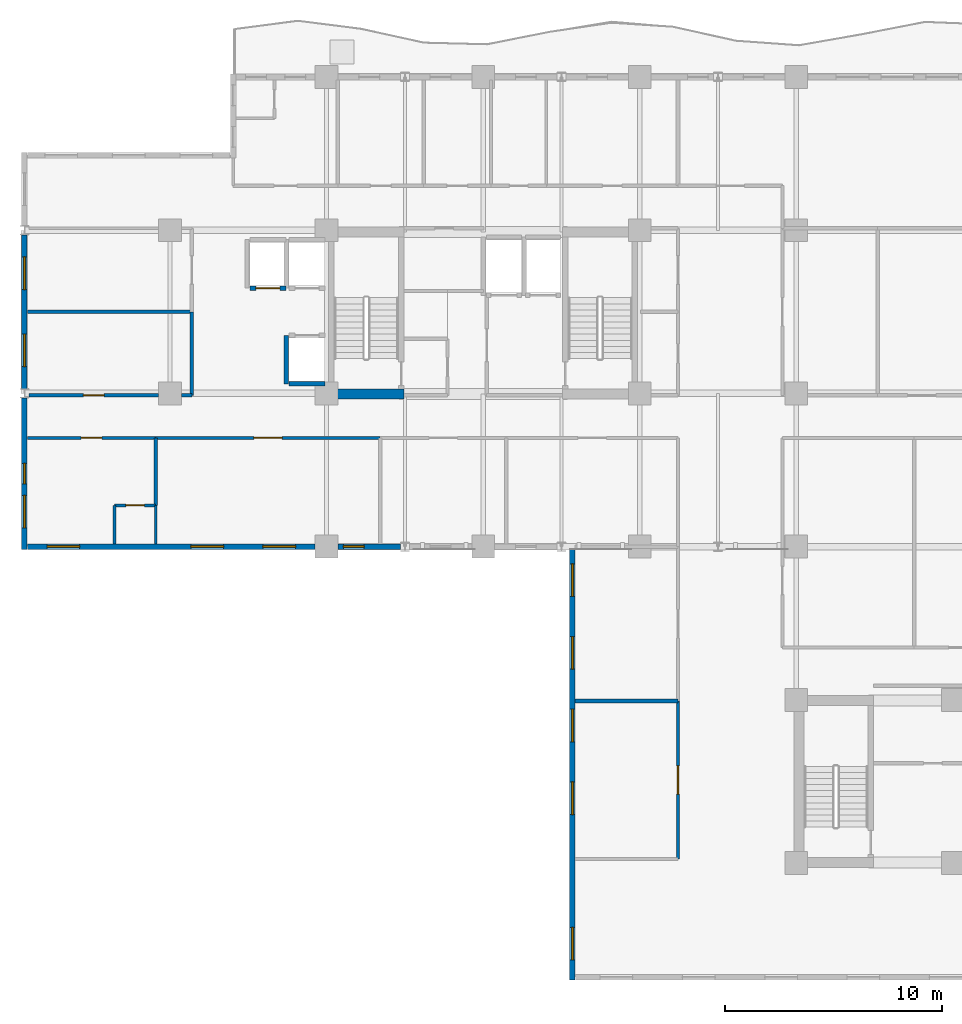
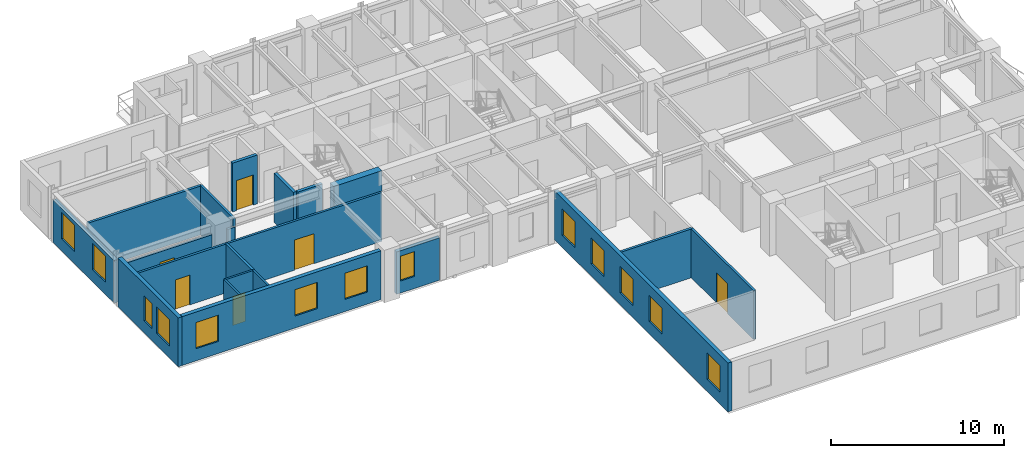
# One storey, part 4 of 13: 21 walls, 13 windows, 6 doors, 19 openings.
"""IFC4 building model written with IfcOpenShell, lengths in metres."""

import ifcopenshell
import ifcopenshell.guid

model = None  # the IFC model being written
_history = None  # IfcOwnerHistory: only IFC2X3 demands one
_inside = {}  # id of a spatial element -> (the spatial element, [elements in it])
_under = {}  # id of a project, library or spatial element -> (it, [spatial elements below it])
_declared = {}  # id of a project -> (the project, [libraries it declares])
_typed = {}  # id of a type object -> (the type object, [elements of that type])
_made_of = {}  # id of a material, layer set ... -> (it, [elements and type objects made of it])


def new_model(schema):
    """Start an empty IFC model of exactly this schema.

    Asked for "IFC4X3", IfcOpenShell would pick the latest addendum, in which some entities
    have other attributes; the version numbers below select the first issue.
    IFC2X3 requires an IfcOwnerHistory on every rooted entity: one is made here for all.
    """
    global model, _history
    if schema == "IFC4X3":
        model = ifcopenshell.file(schema_version=(4, 3, 0, 0))
    else:
        model = ifcopenshell.file(schema=schema)
    _inside.clear()
    _under.clear()
    _declared.clear()
    _typed.clear()
    _made_of.clear()
    _history = None
    if model.schema == "IFC2X3":
        org = make("IfcOrganization", Name="unknown")
        user = make(
            "IfcPersonAndOrganization",
            ThePerson=make("IfcPerson", FamilyName="unknown"),
            TheOrganization=org,
        )
        app = make(
            "IfcApplication",
            ApplicationDeveloper=org,
            Version="unknown",
            ApplicationFullName="unknown",
            ApplicationIdentifier="unknown",
        )
        _history = make(
            "IfcOwnerHistory",
            OwningUser=user,
            OwningApplication=app,
            ChangeAction="ADDED",
            CreationDate=0,
        )
    return model


def make(cls, **values):
    """One entity of the class cls with the attributes given. An attribute that is None is left unset."""
    return model.create_entity(
        cls, **{name: value for name, value in values.items() if value is not None}
    )


def rooted(cls, **values):
    """An entity with a GlobalId (a new one), such as an element, a storey or a relation."""
    return make(cls, GlobalId=ifcopenshell.guid.new(), OwnerHistory=_history, **values)


def si_unit(unit_type, name, prefix=None):
    """IfcSIUnit, for example si_unit("LENGTHUNIT", "METRE", prefix="MILLI")."""
    return make("IfcSIUnit", UnitType=unit_type, Prefix=prefix, Name=name)


def assignment(units):
    """IfcUnitAssignment: the units of a project."""
    return None if units is None else make("IfcUnitAssignment", Units=units)


def point(xyz):
    """IfcCartesianPoint."""
    return None if xyz is None else make("IfcCartesianPoint", Coordinates=xyz)


def direction(xyz):
    """IfcDirection."""
    return None if xyz is None else make("IfcDirection", DirectionRatios=xyz)


def frame(location, z_axis=None, x_axis=None):
    """IfcAxis2Placement3D, a coordinate frame: its origin and axes. An axis left out is left unset."""
    return make(
        "IfcAxis2Placement3D",
        Location=point(location),
        Axis=direction(z_axis),
        RefDirection=direction(x_axis),
    )


def frame_2d(location, x_axis=None):
    """IfcAxis2Placement2D, a coordinate frame in the plane: its origin and x axis."""
    return make(
        "IfcAxis2Placement2D", Location=point(location), RefDirection=direction(x_axis)
    )


def origin():
    """The frame at (0, 0, 0) with its axes left unset."""
    return frame((0.0, 0.0, 0.0))


def place(relative_to, where):
    """IfcLocalPlacement: puts the frame where relative to a parent placement (None: the world)."""
    return make(
        "IfcLocalPlacement", PlacementRelTo=relative_to, RelativePlacement=where
    )


def context(
    kind, dimensions, precision=None, world=None, true_north=None, identifier=None
):
    """IfcGeometricRepresentationContext, for example the 3D "Model" context."""
    return make(
        "IfcGeometricRepresentationContext",
        ContextIdentifier=identifier,
        ContextType=kind,
        CoordinateSpaceDimension=dimensions,
        Precision=precision,
        WorldCoordinateSystem=world,
        TrueNorth=true_north,
    )


def subcontext(parent, identifier, kind, view, scale=None):
    """IfcGeometricRepresentationSubContext, for example "Body" below "Model"."""
    return make(
        "IfcGeometricRepresentationSubContext",
        ContextIdentifier=identifier,
        ContextType=kind,
        ParentContext=parent,
        TargetScale=scale,
        TargetView=view,
    )


def project(units=None, contexts=None):
    """IfcProject with its units and contexts."""
    return rooted(
        "IfcProject",
        Name="project",
        RepresentationContexts=contexts,
        UnitsInContext=assignment(units),
    )


def spatial(cls, under=None, at=None, **own):
    """A site, building, storey or space (cls), placed at a placement, below another one or the project."""
    s = rooted(cls, ObjectPlacement=at, **own)
    if under is not None:
        _under.setdefault(under.id(), (under, []))[1].append(s)
    return s


def profile(cls, at=None, kind="AREA", **sizes):
    """A parametric profile (cls). Its sizes go by their IFC names, for example OverallWidth=200.0."""
    return make(cls, ProfileType=kind, Position=at, **sizes)


def rectangle(**sizes):
    """IfcRectangleProfileDef."""
    return profile("IfcRectangleProfileDef", **sizes)


def extrude(swept, where, along, depth):
    """IfcExtrudedAreaSolid: the profile swept, set in the frame where, extruded along a direction by depth."""
    return make(
        "IfcExtrudedAreaSolid",
        SweptArea=swept,
        Position=where,
        ExtrudedDirection=direction(along),
        Depth=depth,
    )


def shape(context_of_items, identifier, shape_type, items):
    """IfcShapeRepresentation: the items that make up one representation, for example the "Body"."""
    return make(
        "IfcShapeRepresentation",
        ContextOfItems=context_of_items,
        RepresentationIdentifier=identifier,
        RepresentationType=shape_type,
        Items=items,
    )


def material(Name=None, Category=None):
    """IfcMaterial."""
    return make("IfcMaterial", Name=Name, Category=Category)


def layer(
    of_material, thickness, ventilated=None, Name=None, Category=None, Priority=None
):
    """IfcMaterialLayer: one layer of a wall or slab, of a material (None: an air gap)."""
    return make(
        "IfcMaterialLayer",
        Material=of_material,
        LayerThickness=thickness,
        IsVentilated=ventilated,
        Name=Name,
        Category=Category,
        Priority=Priority,
    )


def layer_set(layers, Name=None):
    """IfcMaterialLayerSet."""
    return make("IfcMaterialLayerSet", MaterialLayers=layers, LayerSetName=Name)


def made_of(thing, what):
    """Note that an element or type object is made of a material, layer set ...; save() writes the relation."""
    if what is not None:
        _made_of.setdefault(what.id(), (what, []))[1].append(thing)
    return thing


def type_object(cls, material=None, **own):
    """A type object (cls), such as IfcWallType, which elements share."""
    return made_of(rooted(cls, **own), material)


def element(
    cls,
    number,
    at=None,
    inside=None,
    cuts=None,
    type_object=None,
    material=None,
    context=None,
    identifier="Body",
    shape_type=None,
    held_by="IfcProductDefinitionShape",
    body=None,
    shapes=None,
    **own,
):
    """One element of the class cls, such as IfcWall. Its Tag is "e" and its number.

    at: its placement. inside: the storey or other place that contains it. cuts: it is an
    opening in that element (IfcRelVoidsElement). A single representation is given by context,
    identifier, shape_type and body (its items); several are given by shapes. held_by: the class
    of the entity that holds the representations. save() writes the other relations.
    """
    e = rooted(cls, Tag="e%d" % number, ObjectPlacement=at, **own)
    if body is not None:
        shapes = [shape(context, identifier, shape_type, body)]
    if shapes is not None:
        e.Representation = make(held_by, Representations=shapes)
    if inside is not None:
        _inside.setdefault(inside.id(), (inside, []))[1].append(e)
    if cuts is not None:
        rooted(
            "IfcRelVoidsElement", RelatingBuildingElement=cuts, RelatedOpeningElement=e
        )
    if type_object is not None:
        _typed.setdefault(type_object.id(), (type_object, []))[1].append(e)
    return made_of(e, material)


def fill(opening, filler):
    """IfcRelFillsElement: the door or window that sits in an opening."""
    return rooted(
        "IfcRelFillsElement",
        RelatingOpeningElement=opening,
        RelatedBuildingElement=filler,
    )


def aggregate(whole, parts):
    """IfcRelAggregates: a whole, such as a stair, and the parts it consists of."""
    return rooted("IfcRelAggregates", RelatingObject=whole, RelatedObjects=parts)


def save(model, path):
    """Write the relations noted so far, then the file.

    IfcRelAggregates (storeys below a building ...), IfcRelContainedInSpatialStructure (elements
    in a storey), IfcRelDefinesByType, IfcRelAssociatesMaterial and IfcRelDeclares: one each for
    every whole, place, type object, material and project.
    """
    for whole, parts in _under.values():
        aggregate(whole, parts)
    for where, things in _inside.values():
        rooted(
            "IfcRelContainedInSpatialStructure",
            RelatedElements=things,
            RelatingStructure=where,
        )
    for kind, things in _typed.values():
        rooted("IfcRelDefinesByType", RelatedObjects=things, RelatingType=kind)
    for what, things in _made_of.values():
        rooted("IfcRelAssociatesMaterial", RelatedObjects=things, RelatingMaterial=what)
    for by, libraries in _declared.values():
        rooted("IfcRelDeclares", RelatingContext=by, RelatedDefinitions=libraries)
    model.write(path)


model = new_model("IFC4")

# Units and contexts
model_context = context("Model", 3, precision=1e-05, world=origin(), true_north=direction((0.0, 1.0)))
body_context = subcontext(model_context, "Body", "Model", "MODEL_VIEW")
ifc_project = project(units=[si_unit("LENGTHUNIT", "METRE"), si_unit("AREAUNIT", "SQUARE_METRE"), si_unit("VOLUMEUNIT", "CUBIC_METRE"), si_unit("PLANEANGLEUNIT", "RADIAN"), si_unit("MASSUNIT", "GRAM", prefix="KILO")], contexts=[model_context])

# Site, building, storey
site_placement = place(None, origin())
site = spatial("IfcSite", under=ifc_project, at=site_placement, CompositionType="ELEMENT")
building_placement = place(site_placement, origin())
building = spatial("IfcBuilding", under=site, at=building_placement, Name="Kaliganga Portal Commons", CompositionType="ELEMENT")
storey_placement = place(building_placement, frame((0.0, 0.0, 180.89990234375)))
storey = spatial("IfcBuildingStorey", under=building, at=storey_placement, Name="L46", CompositionType="ELEMENT", Elevation=180.89990234375)

# Wall
ifc_material_1 = material(Name="Concrete C60/75", Category="concrete")
ifc_layer_1 = layer(ifc_material_1, 0.449951171875)
ifc_layer_set_1 = layer_set([ifc_layer_1], Name="Concrete C60/75")
wall_type_1 = type_object("IfcWallType", Name="WL-CORE-450", PredefinedType="SHEAR", material=ifc_layer_set_1)
wall_1_placement = place(storey_placement, frame((14.75, 28.625, 0.0), z_axis=(0.0, 0.0, 1.0), x_axis=(1.0, 0.0, 0.0)))
element("IfcWall", 1, at=wall_1_placement, inside=storey, type_object=wall_type_1, Name="Core A S-West Shear Wall L46", PredefinedType="SHEAR", context=body_context, shape_type="SweptSolid", body=[
    extrude(rectangle(XDim=3.199951171875, YDim=0.449951171875, at=frame_2d((1.60009765625, 0.0))), origin(), (0.0, 0.0, 1.0), 3.460205078125),
])

# Wall, openings, windows
ifc_material_2 = material(Name="Insulated Aluminium-Clad Spandrel Assembly", Category="aluminium")
ifc_layer_2 = layer(ifc_material_2, 0.260009765625)
ifc_layer_set_2 = layer_set([ifc_layer_2], Name="Insulated Aluminium-Clad Spandrel Assembly")
wall_type_2 = type_object("IfcWallType", Name="WL-EXT-SPAND-260", PredefinedType="STANDARD", material=ifc_layer_set_2)
wall_2_placement = place(storey_placement, frame((0.5, 28.85791015625, 0.0), z_axis=(0.0, 0.0, 1.0), x_axis=(0.0, 1.0, 0.0)))
wall_2 = element("IfcWall", 2, at=wall_2_placement, inside=storey, type_object=wall_type_2, Name="Exterior Envelope Wall L46 P1-E09-S2", PredefinedType="STANDARD", context=body_context, shape_type="SweptSolid", body=[
    extrude(rectangle(XDim=7.083984375, YDim=0.260009765625, at=frame_2d((3.5419921875, 0.0))), origin(), (0.0, 0.0, 1.0), 2.989990234375),
])
opening_1_placement = place(wall_2_placement, frame((1.02099609375, 0.0, 0.85009765625)))
opening_1 = element("IfcOpeningElement", 3, at=opening_1_placement, cuts=wall_2, Name="Opening W-02", PredefinedType="OPENING", context=body_context, shape_type="SweptSolid", body=[
    extrude(rectangle(XDim=1.5, YDim=1.85009765625, at=frame_2d((0.75, 0.925048828125))), frame((0.0, 0.14013671875, 0.0), z_axis=(0.0, -1.0, 0.0), x_axis=(1.0, 0.0, 0.0)), (0.0, 0.0, 1.0), 0.280029296875),
])
opening_2_placement = place(wall_2_placement, frame((4.56298828125, 0.0, 0.85009765625)))
opening_2 = element("IfcOpeningElement", 4, at=opening_2_placement, cuts=wall_2, Name="Opening W-02", PredefinedType="OPENING", context=body_context, shape_type="SweptSolid", body=[
    extrude(rectangle(XDim=1.5, YDim=1.85009765625, at=frame_2d((0.75, 0.925048828125))), frame((0.0, 0.14013671875, 0.0), z_axis=(0.0, -1.0, 0.0), x_axis=(1.0, 0.0, 0.0)), (0.0, 0.0, 1.0), 0.280029296875),
])
ifc_material_3 = material(Name="Thermally Broken Aluminium and Low-E Double Glazing", Category="aluminium")
window_type_1 = type_object("IfcWindowType", Name="WIN-STD-1500", PartitioningType="DOUBLE_PANEL_VERTICAL", PredefinedType="WINDOW", material=ifc_material_3)
window_1_placement = place(opening_1_placement, origin())
window_1 = element("IfcWindow", 5, at=window_1_placement, inside=storey, type_object=window_type_1, Name="Facade Window L46-P1E09S2-00", OverallHeight=1.85009765625, OverallWidth=1.5, PartitioningType="SINGLE_PANEL", PredefinedType="WINDOW", context=body_context, shape_type="SweptSolid", body=[
    extrude(rectangle(XDim=1.5, YDim=1.85009765625, at=frame_2d((0.75, 0.925048828125))), frame((0.0, 0.030029296875, 0.0), z_axis=(0.0, -1.0, 0.0), x_axis=(1.0, 0.0, 0.0)), (0.0, 0.0, 1.0), 0.06005859375),
])
fill(opening_1, window_1)
window_2_placement = place(opening_2_placement, origin())
window_2 = element("IfcWindow", 6, at=window_2_placement, inside=storey, type_object=window_type_1, Name="Facade Window L46-P1E09S2-01", OverallHeight=1.85009765625, OverallWidth=1.5, PartitioningType="SINGLE_PANEL", PredefinedType="WINDOW", context=body_context, shape_type="SweptSolid", body=[
    extrude(rectangle(XDim=1.5, YDim=1.85009765625, at=frame_2d((0.75, 0.925048828125))), frame((0.0, 0.030029296875, 0.0), z_axis=(0.0, -1.0, 0.0), x_axis=(1.0, 0.0, 0.0)), (0.0, 0.0, 1.0), 0.06005859375),
])
fill(opening_2, window_2)

wall_3_placement = place(storey_placement, frame((0.5, 21.469970703125, 0.0), z_axis=(0.0, 0.0, 1.0), x_axis=(0.0, 1.0, 0.0)))
wall_3 = element("IfcWall", 7, at=wall_3_placement, inside=storey, type_object=wall_type_2, Name="Exterior Envelope Wall L46 P1-E09-S3", PredefinedType="STANDARD", context=body_context, shape_type="SweptSolid", body=[
    extrude(rectangle(XDim=6.971923828125, YDim=0.260009765625, at=frame_2d((3.48583984375, 0.0))), origin(), (0.0, 0.0, 1.0), 3.440185546875),
])
opening_3_placement = place(wall_3_placement, frame((0.992919921875, 0.0, 0.85009765625)))
opening_3 = element("IfcOpeningElement", 8, at=opening_3_placement, cuts=wall_3, Name="Opening W-02", PredefinedType="OPENING", context=body_context, shape_type="SweptSolid", body=[
    extrude(rectangle(XDim=1.5, YDim=1.85009765625, at=frame_2d((0.75, 0.925048828125))), frame((0.0, 0.14013671875, 0.0), z_axis=(0.0, -1.0, 0.0), x_axis=(1.0, 0.0, 0.0)), (0.0, 0.0, 1.0), 0.280029296875),
])
opening_4_placement = place(wall_3_placement, frame((3.010986328125, 0.0, 0.85009765625)))
opening_4 = element("IfcOpeningElement", 9, at=opening_4_placement, cuts=wall_3, Name="Opening W-04", PredefinedType="OPENING", context=body_context, shape_type="SweptSolid", body=[
    extrude(rectangle(XDim=0.949951171875, YDim=1.75, at=frame_2d((0.47509765625, 0.875))), frame((0.0, 0.14013671875, 0.0), z_axis=(0.0, -1.0, 0.0), x_axis=(1.0, 0.0, 0.0)), (0.0, 0.0, 1.0), 0.280029296875),
])
window_type_2 = type_object("IfcWindowType", Name="WIN-NARROW-950", PartitioningType="SINGLE_PANEL", PredefinedType="WINDOW", material=ifc_material_3)
window_3_placement = place(opening_4_placement, origin())
window_3 = element("IfcWindow", 10, at=window_3_placement, inside=storey, type_object=window_type_2, Name="Facade Window L46-P1E09S3-N0", OverallHeight=1.75, OverallWidth=0.949951171875, PartitioningType="SINGLE_PANEL", PredefinedType="WINDOW", context=body_context, shape_type="SweptSolid", body=[
    extrude(rectangle(XDim=0.949951171875, YDim=1.75, at=frame_2d((0.47509765625, 0.875))), frame((0.0, 0.030029296875, 0.0), z_axis=(0.0, -1.0, 0.0), x_axis=(1.0, 0.0, 0.0)), (0.0, 0.0, 1.0), 0.06005859375),
])
fill(opening_4, window_3)
window_4_placement = place(opening_3_placement, origin())
window_4 = element("IfcWindow", 11, at=window_4_placement, inside=storey, type_object=window_type_1, Name="Facade Window L46-P1E09S3-00", OverallHeight=1.85009765625, OverallWidth=1.5, PartitioningType="SINGLE_PANEL", PredefinedType="WINDOW", context=body_context, shape_type="SweptSolid", body=[
    extrude(rectangle(XDim=1.5, YDim=1.85009765625, at=frame_2d((0.75, 0.925048828125))), frame((0.0, 0.030029296875, 0.0), z_axis=(0.0, -1.0, 0.0), x_axis=(1.0, 0.0, 0.0)), (0.0, 0.0, 1.0), 0.06005859375),
])
fill(opening_3, window_4)

wall_4_placement = place(storey_placement, frame((13.8740234375, 21.60009765625, 0.0), z_axis=(0.0, 0.0, 1.0), x_axis=(-1.0, 0.0, 0.0)))
wall_4 = element("IfcWall", 12, at=wall_4_placement, inside=storey, type_object=wall_type_2, Name="Exterior Envelope Wall L46 P1-E10-S1", PredefinedType="STANDARD", context=body_context, shape_type="SweptSolid", body=[
    extrude(rectangle(XDim=13.239013671875, YDim=0.260009765625, at=frame_2d((6.61962890625, 0.0))), origin(), (0.0, 0.0, 1.0), 3.440185546875),
])
opening_5_placement = place(wall_4_placement, frame((0.90478515625, 0.0, 0.85009765625)))
opening_5 = element("IfcOpeningElement", 13, at=opening_5_placement, cuts=wall_4, Name="Opening W-02", PredefinedType="OPENING", context=body_context, shape_type="SweptSolid", body=[
    extrude(rectangle(XDim=1.5, YDim=1.85009765625, at=frame_2d((0.75, 0.925048828125))), frame((0.0, 0.14013671875, 0.0), z_axis=(0.0, -1.0, 0.0), x_axis=(1.0, 0.0, 0.0)), (0.0, 0.0, 1.0), 0.280029296875),
])
opening_6_placement = place(wall_4_placement, frame((4.214599609375, 0.0, 0.85009765625)))
opening_6 = element("IfcOpeningElement", 14, at=opening_6_placement, cuts=wall_4, Name="Opening W-02", PredefinedType="OPENING", context=body_context, shape_type="SweptSolid", body=[
    extrude(rectangle(XDim=1.5, YDim=1.85009765625, at=frame_2d((0.75, 0.925048828125))), frame((0.0, 0.14013671875, 0.0), z_axis=(0.0, -1.0, 0.0), x_axis=(1.0, 0.0, 0.0)), (0.0, 0.0, 1.0), 0.280029296875),
])
opening_7_placement = place(wall_4_placement, frame((10.833984375, 0.0, 0.85009765625)))
opening_7 = element("IfcOpeningElement", 15, at=opening_7_placement, cuts=wall_4, Name="Opening W-02", PredefinedType="OPENING", context=body_context, shape_type="SweptSolid", body=[
    extrude(rectangle(XDim=1.5, YDim=1.85009765625, at=frame_2d((0.75, 0.925048828125))), frame((0.0, 0.14013671875, 0.0), z_axis=(0.0, -1.0, 0.0), x_axis=(1.0, 0.0, 0.0)), (0.0, 0.0, 1.0), 0.280029296875),
])
window_5_placement = place(opening_5_placement, origin())
window_5 = element("IfcWindow", 16, at=window_5_placement, inside=storey, type_object=window_type_1, Name="Facade Window L46-P1E10S1-00", OverallHeight=1.85009765625, OverallWidth=1.5, PartitioningType="SINGLE_PANEL", PredefinedType="WINDOW", context=body_context, shape_type="SweptSolid", body=[
    extrude(rectangle(XDim=1.5, YDim=1.85009765625, at=frame_2d((0.75, 0.925048828125))), frame((0.0, 0.030029296875, 0.0), z_axis=(0.0, -1.0, 0.0), x_axis=(1.0, 0.0, 0.0)), (0.0, 0.0, 1.0), 0.06005859375),
])
fill(opening_5, window_5)
window_6_placement = place(opening_6_placement, origin())
window_6 = element("IfcWindow", 17, at=window_6_placement, inside=storey, type_object=window_type_1, Name="Facade Window L46-P1E10S1-01", OverallHeight=1.85009765625, OverallWidth=1.5, PartitioningType="SINGLE_PANEL", PredefinedType="WINDOW", context=body_context, shape_type="SweptSolid", body=[
    extrude(rectangle(XDim=1.5, YDim=1.85009765625, at=frame_2d((0.75, 0.925048828125))), frame((0.0, 0.030029296875, 0.0), z_axis=(0.0, -1.0, 0.0), x_axis=(1.0, 0.0, 0.0)), (0.0, 0.0, 1.0), 0.06005859375),
])
fill(opening_6, window_6)
window_7_placement = place(opening_7_placement, origin())
window_7 = element("IfcWindow", 18, at=window_7_placement, inside=storey, type_object=window_type_1, Name="Facade Window L46-P1E10S1-03", OverallHeight=1.85009765625, OverallWidth=1.5, PartitioningType="SINGLE_PANEL", PredefinedType="WINDOW", context=body_context, shape_type="SweptSolid", body=[
    extrude(rectangle(XDim=1.5, YDim=1.85009765625, at=frame_2d((0.75, 0.925048828125))), frame((0.0, 0.030029296875, 0.0), z_axis=(0.0, -1.0, 0.0), x_axis=(1.0, 0.0, 0.0)), (0.0, 0.0, 1.0), 0.06005859375),
])
fill(opening_7, window_7)

# Wall, opening, window
wall_5_placement = place(storey_placement, frame((17.797119140625, 21.60009765625, 0.0), z_axis=(0.0, 0.0, 1.0), x_axis=(-1.0, 0.0, 0.0)))
wall_5 = element("IfcWall", 19, at=wall_5_placement, inside=storey, type_object=wall_type_2, Name="Exterior Envelope Wall L46 P1-E10-S2", PredefinedType="STANDARD", context=body_context, shape_type="SweptSolid", body=[
    extrude(rectangle(XDim=2.87109375, YDim=0.260009765625, at=frame_2d((1.435546875, 0.0))), origin(), (0.0, 0.0, 1.0), 2.989990234375),
])
opening_8_placement = place(wall_5_placement, frame((1.672607421875, 0.0, 0.85009765625)))
opening_8 = element("IfcOpeningElement", 20, at=opening_8_placement, cuts=wall_5, Name="Opening W-04", PredefinedType="OPENING", context=body_context, shape_type="SweptSolid", body=[
    extrude(rectangle(XDim=0.949951171875, YDim=1.75, at=frame_2d((0.47509765625, 0.875))), frame((0.0, 0.14013671875, 0.0), z_axis=(0.0, -1.0, 0.0), x_axis=(1.0, 0.0, 0.0)), (0.0, 0.0, 1.0), 0.280029296875),
])
window_8_placement = place(opening_8_placement, origin())
window_8 = element("IfcWindow", 21, at=window_8_placement, inside=storey, type_object=window_type_2, Name="Facade Window L46-P1E10S2-N2", OverallHeight=1.75, OverallWidth=0.949951171875, PartitioningType="SINGLE_PANEL", PredefinedType="WINDOW", context=body_context, shape_type="SweptSolid", body=[
    extrude(rectangle(XDim=0.949951171875, YDim=1.75, at=frame_2d((0.47509765625, 0.875))), frame((0.0, 0.030029296875, 0.0), z_axis=(0.0, -1.0, 0.0), x_axis=(1.0, 0.0, 0.0)), (0.0, 0.0, 1.0), 0.06005859375),
])
fill(opening_8, window_8)

# Wall, openings, windows
wall_6_placement = place(storey_placement, frame((25.699951171875, 1.669921875, 0.0), z_axis=(0.0, 0.0, 1.0), x_axis=(0.0, 1.0, 0.0)))
wall_6 = element("IfcWall", 22, at=wall_6_placement, inside=storey, type_object=wall_type_2, Name="Exterior Envelope Wall L46 P1-E11-S1", PredefinedType="STANDARD", context=body_context, shape_type="SweptSolid", body=[
    extrude(rectangle(XDim=20.06005859375, YDim=0.260009765625, at=frame_2d((10.030029296875, 0.0))), origin(), (0.0, 0.0, 1.0), 3.440185546875),
])
opening_9_placement = place(wall_6_placement, frame((0.921630859375, 0.0, 0.85009765625)))
opening_9 = element("IfcOpeningElement", 23, at=opening_9_placement, cuts=wall_6, Name="Opening W-02", PredefinedType="OPENING", context=body_context, shape_type="SweptSolid", body=[
    extrude(rectangle(XDim=1.5, YDim=1.85009765625, at=frame_2d((0.75, 0.925048828125))), frame((0.0, 0.14013671875, 0.0), z_axis=(0.0, -1.0, 0.0), x_axis=(1.0, 0.0, 0.0)), (0.0, 0.0, 1.0), 0.280029296875),
])
opening_10_placement = place(wall_6_placement, frame((7.6083984375, 0.0, 0.85009765625)))
opening_10 = element("IfcOpeningElement", 24, at=opening_10_placement, cuts=wall_6, Name="Opening W-02", PredefinedType="OPENING", context=body_context, shape_type="SweptSolid", body=[
    extrude(rectangle(XDim=1.5, YDim=1.85009765625, at=frame_2d((0.75, 0.925048828125))), frame((0.0, 0.14013671875, 0.0), z_axis=(0.0, -1.0, 0.0), x_axis=(1.0, 0.0, 0.0)), (0.0, 0.0, 1.0), 0.280029296875),
])
opening_11_placement = place(wall_6_placement, frame((10.95166015625, 0.0, 0.85009765625)))
opening_11 = element("IfcOpeningElement", 25, at=opening_11_placement, cuts=wall_6, Name="Opening W-02", PredefinedType="OPENING", context=body_context, shape_type="SweptSolid", body=[
    extrude(rectangle(XDim=1.5, YDim=1.85009765625, at=frame_2d((0.75, 0.925048828125))), frame((0.0, 0.14013671875, 0.0), z_axis=(0.0, -1.0, 0.0), x_axis=(1.0, 0.0, 0.0)), (0.0, 0.0, 1.0), 0.280029296875),
])
opening_12_placement = place(wall_6_placement, frame((14.294921875, 0.0, 0.85009765625)))
opening_12 = element("IfcOpeningElement", 26, at=opening_12_placement, cuts=wall_6, Name="Opening W-02", PredefinedType="OPENING", context=body_context, shape_type="SweptSolid", body=[
    extrude(rectangle(XDim=1.5, YDim=1.85009765625, at=frame_2d((0.75, 0.925048828125))), frame((0.0, 0.14013671875, 0.0), z_axis=(0.0, -1.0, 0.0), x_axis=(1.0, 0.0, 0.0)), (0.0, 0.0, 1.0), 0.280029296875),
])
opening_13_placement = place(wall_6_placement, frame((17.63818359375, 0.0, 0.85009765625)))
opening_13 = element("IfcOpeningElement", 27, at=opening_13_placement, cuts=wall_6, Name="Opening W-02", PredefinedType="OPENING", context=body_context, shape_type="SweptSolid", body=[
    extrude(rectangle(XDim=1.5, YDim=1.85009765625, at=frame_2d((0.75, 0.925048828125))), frame((0.0, 0.14013671875, 0.0), z_axis=(0.0, -1.0, 0.0), x_axis=(1.0, 0.0, 0.0)), (0.0, 0.0, 1.0), 0.280029296875),
])
window_9_placement = place(opening_9_placement, origin())
window_9 = element("IfcWindow", 28, at=window_9_placement, inside=storey, type_object=window_type_1, Name="Facade Window L46-P1E11S1-00", OverallHeight=1.85009765625, OverallWidth=1.5, PartitioningType="SINGLE_PANEL", PredefinedType="WINDOW", context=body_context, shape_type="SweptSolid", body=[
    extrude(rectangle(XDim=1.5, YDim=1.85009765625, at=frame_2d((0.75, 0.925048828125))), frame((0.0, 0.030029296875, 0.0), z_axis=(0.0, -1.0, 0.0), x_axis=(1.0, 0.0, 0.0)), (0.0, 0.0, 1.0), 0.06005859375),
])
fill(opening_9, window_9)
window_10_placement = place(opening_10_placement, origin())
window_10 = element("IfcWindow", 29, at=window_10_placement, inside=storey, type_object=window_type_1, Name="Facade Window L46-P1E11S1-02", OverallHeight=1.85009765625, OverallWidth=1.5, PartitioningType="SINGLE_PANEL", PredefinedType="WINDOW", context=body_context, shape_type="SweptSolid", body=[
    extrude(rectangle(XDim=1.5, YDim=1.85009765625, at=frame_2d((0.75, 0.925048828125))), frame((0.0, 0.030029296875, 0.0), z_axis=(0.0, -1.0, 0.0), x_axis=(1.0, 0.0, 0.0)), (0.0, 0.0, 1.0), 0.06005859375),
])
fill(opening_10, window_10)
window_11_placement = place(opening_11_placement, origin())
window_11 = element("IfcWindow", 30, at=window_11_placement, inside=storey, type_object=window_type_1, Name="Facade Window L46-P1E11S1-03", OverallHeight=1.85009765625, OverallWidth=1.5, PartitioningType="SINGLE_PANEL", PredefinedType="WINDOW", context=body_context, shape_type="SweptSolid", body=[
    extrude(rectangle(XDim=1.5, YDim=1.85009765625, at=frame_2d((0.75, 0.925048828125))), frame((0.0, 0.030029296875, 0.0), z_axis=(0.0, -1.0, 0.0), x_axis=(1.0, 0.0, 0.0)), (0.0, 0.0, 1.0), 0.06005859375),
])
fill(opening_11, window_11)
window_12_placement = place(opening_12_placement, origin())
window_12 = element("IfcWindow", 31, at=window_12_placement, inside=storey, type_object=window_type_1, Name="Facade Window L46-P1E11S1-04", OverallHeight=1.85009765625, OverallWidth=1.5, PartitioningType="SINGLE_PANEL", PredefinedType="WINDOW", context=body_context, shape_type="SweptSolid", body=[
    extrude(rectangle(XDim=1.5, YDim=1.85009765625, at=frame_2d((0.75, 0.925048828125))), frame((0.0, 0.030029296875, 0.0), z_axis=(0.0, -1.0, 0.0), x_axis=(1.0, 0.0, 0.0)), (0.0, 0.0, 1.0), 0.06005859375),
])
fill(opening_12, window_12)
window_13_placement = place(opening_13_placement, origin())
window_13 = element("IfcWindow", 32, at=window_13_placement, inside=storey, type_object=window_type_1, Name="Facade Window L46-P1E11S1-05", OverallHeight=1.85009765625, OverallWidth=1.5, PartitioningType="SINGLE_PANEL", PredefinedType="WINDOW", context=body_context, shape_type="SweptSolid", body=[
    extrude(rectangle(XDim=1.5, YDim=1.85009765625, at=frame_2d((0.75, 0.925048828125))), frame((0.0, 0.030029296875, 0.0), z_axis=(0.0, -1.0, 0.0), x_axis=(1.0, 0.0, 0.0)), (0.0, 0.0, 1.0), 0.06005859375),
])
fill(opening_13, window_13)

# Wall, opening, door
ifc_material_4 = material(Name="Fire-Rated Gypsum Board on Steel Stud", Category="steel")
ifc_layer_3 = layer(ifc_material_4, 0.14990234375)
ifc_layer_set_3 = layer_set([ifc_layer_3], Name="Fire-Rated Gypsum Board on Steel Stud")
wall_type_3 = type_object("IfcWallType", Name="WL-PART-CORR-150", PredefinedType="PARTITIONING", material=ifc_layer_set_3)
wall_7_placement = place(storey_placement, frame((6.5400390625, 26.60009765625, 0.0), z_axis=(0.0, 0.0, 1.0), x_axis=(1.0, 0.0, 0.0)))
wall_7 = element("IfcWall", 33, at=wall_7_placement, inside=storey, type_object=wall_type_3, Name="Interior Partition L46-006", PredefinedType="PARTITIONING", context=body_context, shape_type="SweptSolid", body=[
    extrude(rectangle(XDim=10.320068359375, YDim=0.14990234375, at=frame_2d((5.16015625, 0.0))), origin(), (0.0, 0.0, 1.0), 3.440185546875),
])
opening_14_placement = place(wall_7_placement, frame((4.510009765625, 0.0, 0.0)))
opening_14 = element("IfcOpeningElement", 34, at=opening_14_placement, cuts=wall_7, Name="Opening RD-03", PredefinedType="OPENING", context=body_context, shape_type="SweptSolid", body=[
    extrude(rectangle(XDim=1.300048828125, YDim=2.1201171875, at=frame_2d((0.64990234375, 1.06005859375))), frame((0.0, 0.0849609375, 0.0), z_axis=(0.0, -1.0, 0.0), x_axis=(1.0, 0.0, 0.0)), (0.0, 0.0, 1.0), 0.169921875),
])
ifc_material_5 = material(Name="Glazed Timber Seminar Vision Door", Category="wood")
door_type_1 = type_object("IfcDoorType", Name="DR-STUDY-1300", OperationType="DOUBLE_DOOR_SINGLE_SWING", PredefinedType="DOOR", material=ifc_material_5)
door_1_placement = place(opening_14_placement, origin())
door_1 = element("IfcDoor", 35, at=door_1_placement, inside=storey, type_object=door_type_1, Name="Interior Door L46-AS02", OperationType="DOUBLE_DOOR_SINGLE_SWING", OverallHeight=2.1201171875, OverallWidth=1.300048828125, PredefinedType="DOOR", context=body_context, shape_type="SweptSolid", body=[
    extrude(rectangle(XDim=1.300048828125, YDim=2.1201171875, at=frame_2d((0.64990234375, 1.06005859375))), frame((0.0, 0.02490234375, 0.0), z_axis=(0.0, -1.0, 0.0), x_axis=(1.0, 0.0, 0.0)), (0.0, 0.0, 1.0), 0.050048828125),
])
fill(opening_14, door_1)

wall_8_placement = place(storey_placement, frame((0.701904296875, 28.56005859375, 0.0), z_axis=(0.0, 0.0, 1.0), x_axis=(1.0, 0.0, 0.0)))
wall_8 = element("IfcWall", 36, at=wall_8_placement, inside=storey, type_object=wall_type_3, Name="Interior Partition L46-009", PredefinedType="PARTITIONING", context=body_context, shape_type="SweptSolid", body=[
    extrude(rectangle(XDim=5.97314453125, YDim=0.14990234375, at=frame_2d((2.986572265625, 0.0))), origin(), (0.0, 0.0, 1.0), 2.840087890625),
])
opening_15_placement = place(wall_8_placement, frame((2.511474609375, 0.0, 0.0)))
opening_15 = element("IfcOpeningElement", 37, at=opening_15_placement, cuts=wall_8, Name="Opening UD-01", PredefinedType="OPENING", context=body_context, shape_type="SweptSolid", body=[
    extrude(rectangle(XDim=0.949951171875, YDim=2.10009765625, at=frame_2d((0.47509765625, 1.050048828125))), frame((0.0, 0.0849609375, 0.0), z_axis=(0.0, -1.0, 0.0), x_axis=(1.0, 0.0, 0.0)), (0.0, 0.0, 1.0), 0.169921875),
])
ifc_material_6 = material(Name="Solid-Core Timber Acoustic Fire Door", Category="wood")
door_type_2 = type_object("IfcDoorType", Name="DR-UNIT-950", OperationType="NOTDEFINED", PredefinedType="DOOR", material=ifc_material_6)
door_2_placement = place(opening_15_placement, origin())
door_2 = element("IfcDoor", 38, at=door_2_placement, inside=storey, type_object=door_type_2, Name="Interior Door L46-AW01", OperationType="SINGLE_SWING_RIGHT", OverallHeight=2.10009765625, OverallWidth=0.949951171875, PredefinedType="DOOR", context=body_context, shape_type="SweptSolid", body=[
    extrude(rectangle(XDim=0.949951171875, YDim=2.10009765625, at=frame_2d((0.47509765625, 1.050048828125))), frame((0.0, 0.02490234375, 0.0), z_axis=(0.0, -1.0, 0.0), x_axis=(1.0, 0.0, 0.0)), (0.0, 0.0, 1.0), 0.050048828125),
])
fill(opening_15, door_2)

# Wall
wall_9_placement = place(storey_placement, frame((7.72509765625, 28.56005859375, 0.0), z_axis=(0.0, 0.0, 1.0), x_axis=(1.0, 0.0, 0.0)))
element("IfcWall", 39, at=wall_9_placement, inside=storey, type_object=wall_type_3, Name="Interior Partition L46-010", PredefinedType="PARTITIONING", context=body_context, shape_type="SweptSolid", body=[
    extrude(rectangle(XDim=0.474853515625, YDim=0.14990234375, at=frame_2d((0.2373046875, 0.0))), origin(), (0.0, 0.0, 1.0), 2.840087890625),
])

# Wall, opening, door
wall_10_placement = place(storey_placement, frame((30.56005859375, 7.239990234375, 0.0), z_axis=(0.0, 0.0, 1.0), x_axis=(0.0, 1.0, 0.0)))
wall_10 = element("IfcWall", 40, at=wall_10_placement, inside=storey, type_object=wall_type_3, Name="Interior Partition L46-012", PredefinedType="PARTITIONING", context=body_context, shape_type="SweptSolid", body=[
    extrude(rectangle(XDim=7.260009765625, YDim=0.14990234375, at=frame_2d((3.6298828125, 0.0))), origin(), (0.0, 0.0, 1.0), 3.440185546875),
])
opening_16_placement = place(wall_10_placement, frame((2.97998046875, 0.0, 0.0)))
opening_16 = element("IfcOpeningElement", 41, at=opening_16_placement, cuts=wall_10, Name="Opening RD-03", PredefinedType="OPENING", context=body_context, shape_type="SweptSolid", body=[
    extrude(rectangle(XDim=1.300048828125, YDim=2.1201171875, at=frame_2d((0.64990234375, 1.06005859375))), frame((0.0, 0.0849609375, 0.0), z_axis=(0.0, -1.0, 0.0), x_axis=(1.0, 0.0, 0.0)), (0.0, 0.0, 1.0), 0.169921875),
])
door_3_placement = place(opening_16_placement, origin())
door_3 = element("IfcDoor", 42, at=door_3_placement, inside=storey, type_object=door_type_1, Name="Interior Door L46-KW01", OperationType="DOUBLE_DOOR_SINGLE_SWING", OverallHeight=2.1201171875, OverallWidth=1.300048828125, PredefinedType="DOOR", context=body_context, shape_type="SweptSolid", body=[
    extrude(rectangle(XDim=1.300048828125, YDim=2.1201171875, at=frame_2d((0.64990234375, 1.06005859375))), frame((0.0, 0.02490234375, 0.0), z_axis=(0.0, -1.0, 0.0), x_axis=(1.0, 0.0, 0.0)), (0.0, 0.0, 1.0), 0.050048828125),
])
fill(opening_16, door_3)

wall_11_placement = place(storey_placement, frame((0.632080078125, 26.60009765625, 0.0), z_axis=(0.0, 0.0, 1.0), x_axis=(1.0, 0.0, 0.0)))
wall_11 = element("IfcWall", 43, at=wall_11_placement, inside=storey, type_object=wall_type_3, Name="Interior Partition L46-019", PredefinedType="PARTITIONING", context=body_context, shape_type="SweptSolid", body=[
    extrude(rectangle(XDim=5.907958984375, YDim=0.14990234375, at=frame_2d((2.9541015625, 0.0))), origin(), (0.0, 0.0, 1.0), 3.440185546875),
])
opening_17_placement = place(wall_11_placement, frame((2.47900390625, 0.0, 0.0)))
opening_17 = element("IfcOpeningElement", 44, at=opening_17_placement, cuts=wall_11, Name="Opening UD-01", PredefinedType="OPENING", context=body_context, shape_type="SweptSolid", body=[
    extrude(rectangle(XDim=0.949951171875, YDim=2.10009765625, at=frame_2d((0.47509765625, 1.050048828125))), frame((0.0, 0.0849609375, 0.0), z_axis=(0.0, -1.0, 0.0), x_axis=(1.0, 0.0, 0.0)), (0.0, 0.0, 1.0), 0.169921875),
])
door_4_placement = place(opening_17_placement, origin())
door_4 = element("IfcDoor", 45, at=door_4_placement, inside=storey, type_object=door_type_2, Name="Interior Door L46-AS01", OperationType="SINGLE_SWING_RIGHT", OverallHeight=2.10009765625, OverallWidth=0.949951171875, PredefinedType="DOOR", context=body_context, shape_type="SweptSolid", body=[
    extrude(rectangle(XDim=0.949951171875, YDim=2.10009765625, at=frame_2d((0.47509765625, 1.050048828125))), frame((0.0, 0.02490234375, 0.0), z_axis=(0.0, -1.0, 0.0), x_axis=(1.0, 0.0, 0.0)), (0.0, 0.0, 1.0), 0.050048828125),
])
fill(opening_17, door_4)

# Walls
wall_12_placement = place(storey_placement, frame((8.199951171875, 28.56005859375, 0.0), z_axis=(0.0, 0.0, 1.0), x_axis=(0.0, 1.0, 0.0)))
element("IfcWall", 46, at=wall_12_placement, inside=storey, type_object=wall_type_3, Name="Interior Partition L46-036", PredefinedType="PARTITIONING", context=body_context, shape_type="SweptSolid", body=[
    extrude(rectangle(XDim=3.83984375, YDim=0.14990234375, at=frame_2d((1.919921875, 0.0))), origin(), (0.0, 0.0, 1.0), 3.440185546875),
])
ifc_material_7 = material(Name="Twin-Stud Acoustic Gypsum Partition", Category="gypsum")
ifc_layer_4 = layer(ifc_material_7, 0.1650390625)
ifc_layer_set_4 = layer_set([ifc_layer_4], Name="Twin-Stud Acoustic Gypsum Partition")
wall_type_4 = type_object("IfcWallType", Name="WL-PART-UNIT-165", PredefinedType="PARTITIONING", material=ifc_layer_set_4)
wall_13_placement = place(storey_placement, frame((0.632080078125, 32.39990234375, 0.0), z_axis=(0.0, 0.0, 1.0), x_axis=(1.0, 0.0, 0.0)))
element("IfcWall", 47, at=wall_13_placement, inside=storey, type_object=wall_type_4, Name="Interior Partition L46-055", PredefinedType="PARTITIONING", context=body_context, shape_type="SweptSolid", body=[
    extrude(rectangle(XDim=7.56787109375, YDim=0.1650390625, at=frame_2d((3.783935546875, 0.0))), origin(), (0.0, 0.0, 1.0), 3.440185546875),
])
wall_14_placement = place(storey_placement, frame((25.83203125, 14.5, 0.0), z_axis=(0.0, 0.0, 1.0), x_axis=(1.0, 0.0, 0.0)))
element("IfcWall", 48, at=wall_14_placement, inside=storey, type_object=wall_type_4, Name="Interior Partition L46-071", PredefinedType="PARTITIONING", context=body_context, shape_type="SweptSolid", body=[
    extrude(rectangle(XDim=4.72802734375, YDim=0.1650390625, at=frame_2d((2.364013671875, 0.0))), origin(), (0.0, 0.0, 1.0), 3.440185546875),
])
wall_15_placement = place(storey_placement, frame((6.5400390625, 23.5, 0.0), z_axis=(0.0, 0.0, 1.0), x_axis=(0.0, 1.0, 0.0)))
element("IfcWall", 49, at=wall_15_placement, inside=storey, type_object=wall_type_4, Name="Interior Partition L46-077", PredefinedType="PARTITIONING", context=body_context, shape_type="SweptSolid", body=[
    extrude(rectangle(XDim=3.10009765625, YDim=0.1650390625, at=frame_2d((1.550048828125, 0.0))), origin(), (0.0, 0.0, 1.0), 3.440185546875),
])

# Wall, opening, door
ifc_material_8 = material(Name="Cement-Board Wet-Room Partition", Category="gypsum")
ifc_layer_5 = layer(ifc_material_8, 0.135009765625)
ifc_layer_set_5 = layer_set([ifc_layer_5], Name="Cement-Board Wet-Room Partition")
wall_type_5 = type_object("IfcWallType", Name="WL-PART-WET-135", PredefinedType="PARTITIONING", material=ifc_layer_set_5)
wall_16_placement = place(storey_placement, frame((4.639892578125, 23.5, 0.0), z_axis=(0.0, 0.0, 1.0), x_axis=(1.0, 0.0, 0.0)))
wall_16 = element("IfcWall", 50, at=wall_16_placement, inside=storey, type_object=wall_type_5, Name="Interior Partition L46-002", PredefinedType="PARTITIONING", context=body_context, shape_type="SweptSolid", body=[
    extrude(rectangle(XDim=1.900146484375, YDim=0.135009765625, at=frame_2d((0.9501953125, 0.0))), origin(), (0.0, 0.0, 1.0), 3.440185546875),
])
opening_18_placement = place(wall_16_placement, frame((0.52490234375, 0.0, 0.0)))
opening_18 = element("IfcOpeningElement", 51, at=opening_18_placement, cuts=wall_16, Name="Opening WD-01", PredefinedType="OPENING", context=body_context, shape_type="SweptSolid", body=[
    extrude(rectangle(XDim=0.85009765625, YDim=2.0400390625, at=frame_2d((0.425048828125, 1.02001953125))), frame((0.0, 0.07763671875, 0.0), z_axis=(0.0, -1.0, 0.0), x_axis=(1.0, 0.0, 0.0)), (0.0, 0.0, 1.0), 0.155029296875),
])
ifc_material_9 = material(Name="Moisture-Resistant Laminate Timber Door", Category="wood")
door_type_3 = type_object("IfcDoorType", Name="DR-WET-850", OperationType="NOTDEFINED", PredefinedType="DOOR", material=ifc_material_9)
door_5_placement = place(opening_18_placement, origin())
door_5 = element("IfcDoor", 52, at=door_5_placement, inside=storey, type_object=door_type_3, Name="Interior Door L46-AS01E", OperationType="SINGLE_SWING_RIGHT", OverallHeight=2.0400390625, OverallWidth=0.85009765625, PredefinedType="DOOR", context=body_context, shape_type="SweptSolid", body=[
    extrude(rectangle(XDim=0.85009765625, YDim=2.0400390625, at=frame_2d((0.425048828125, 1.02001953125))), frame((0.0, 0.02490234375, 0.0), z_axis=(0.0, -1.0, 0.0), x_axis=(1.0, 0.0, 0.0)), (0.0, 0.0, 1.0), 0.050048828125),
])
fill(opening_18, door_5)

# Walls
for number, where, z_axis, x_axis, name in (
    (53, (4.639892578125, 21.73193359375, 0.0), (0.0, 0.0, 1.0), (0.0, 1.0, 0.0), "Interior Partition L46-004"),
    (54, (6.5400390625, 21.73193359375, 0.0), (0.0, 0.0, 1.0), (0.0, 1.0, 0.0), "Interior Partition L46-005"),
):
    element("IfcWall", number, at=place(storey_placement, frame(where, z_axis=z_axis, x_axis=x_axis)), inside=storey, type_object=wall_type_5, Name=name, PredefinedType="PARTITIONING", context=body_context, shape_type="SweptSolid", body=[
        extrude(rectangle(XDim=1.76806640625, YDim=0.135009765625, at=frame_2d((0.884033203125, 0.0))), origin(), (0.0, 0.0, 1.0), 3.440185546875),
    ])
ifc_material_10 = material(Name="Fire-Rated Shaftwall Masonry Assembly", Category="masonry")
ifc_layer_6 = layer(ifc_material_10, 0.199951171875)
ifc_layer_set_6 = layer_set([ifc_layer_6], Name="Fire-Rated Shaftwall Masonry Assembly")
wall_type_6 = type_object("IfcWallType", Name="WL-SHAFT-200", PredefinedType="PARTITIONING", material=ifc_layer_set_6)
wall_17_placement = place(storey_placement, frame((12.675048828125, 29.0849609375, 0.0), z_axis=(0.0, 0.0, 1.0), x_axis=(1.0, 0.0, 0.0)))
element("IfcWall", 55, at=wall_17_placement, inside=storey, type_object=wall_type_6, Name="Lift PL-A4 Hoistway Shaft Wall L46-S", PredefinedType="PARTITIONING", context=body_context, shape_type="SweptSolid", body=[
    extrude(rectangle(XDim=1.64990234375, YDim=0.199951171875, at=frame_2d((0.824951171875, 0.0))), origin(), (0.0, 0.0, 1.0), 3.440185546875),
])
wall_18_placement = place(storey_placement, frame((12.534912109375, 29.0849609375, 0.0), z_axis=(0.0, 0.0, 1.0), x_axis=(0.0, 1.0, 0.0)))
element("IfcWall", 56, at=wall_18_placement, inside=storey, type_object=wall_type_6, Name="Lift PL-A4 Hoistway Shaft Wall L46-W", PredefinedType="PARTITIONING", context=body_context, shape_type="SweptSolid", body=[
    extrude(rectangle(XDim=2.22998046875, YDim=0.199951171875, at=frame_2d((1.114990234375, 0.0))), origin(), (0.0, 0.0, 1.0), 3.440185546875),
])

# Wall, opening, door
wall_19_placement = place(storey_placement, frame((10.875, 33.485107421875, 0.0), z_axis=(0.0, 0.0, 1.0), x_axis=(1.0, 0.0, 0.0)))
wall_19 = element("IfcWall", 57, at=wall_19_placement, inside=storey, type_object=wall_type_6, Name="Lift PL-OBS Hoistway Shaft Wall L46-S", PredefinedType="PARTITIONING", context=body_context, shape_type="SweptSolid", body=[
    extrude(rectangle(XDim=1.64990234375, YDim=0.199951171875, at=frame_2d((0.824951171875, 0.0))), origin(), (0.0, 0.0, 1.0), 3.440185546875),
])
opening_19_placement = place(wall_19_placement, frame((0.27490234375, 0.0, 0.0)))
opening_19 = element("IfcOpeningElement", 58, at=opening_19_placement, cuts=wall_19, Name="Opening LD-01", PredefinedType="OPENING", context=body_context, shape_type="SweptSolid", body=[
    extrude(rectangle(XDim=1.10009765625, YDim=2.1201171875, at=frame_2d((0.550048828125, 1.06005859375))), frame((0.0, 0.10986328125, 0.0), z_axis=(0.0, -1.0, 0.0), x_axis=(1.0, 0.0, 0.0)), (0.0, 0.0, 1.0), 0.219970703125),
])
ifc_material_11 = material(Name="Brushed Stainless Steel 316 Lift Landing Door", Category="steel")
door_type_4 = type_object("IfcDoorType", Name="DR-LIFT-1100", OperationType="SLIDING_TO_LEFT", PredefinedType="DOOR", material=ifc_material_11)
door_6_placement = place(opening_19_placement, origin())
door_6 = element("IfcDoor", 59, at=door_6_placement, inside=storey, type_object=door_type_4, Name="Lift PL-OBS Sliding Landing Door L46", OperationType="SLIDING_TO_LEFT", OverallHeight=2.1201171875, OverallWidth=1.10009765625, PredefinedType="DOOR", context=body_context, shape_type="SweptSolid", body=[
    extrude(rectangle(XDim=1.10009765625, YDim=2.1201171875, at=frame_2d((0.550048828125, 1.06005859375))), frame((0.0, 0.02490234375, 0.0), z_axis=(0.0, -1.0, 0.0), x_axis=(1.0, 0.0, 0.0)), (0.0, 0.0, 1.0), 0.050048828125),
])
fill(opening_19, door_6)

save(model, "model.ifc")
